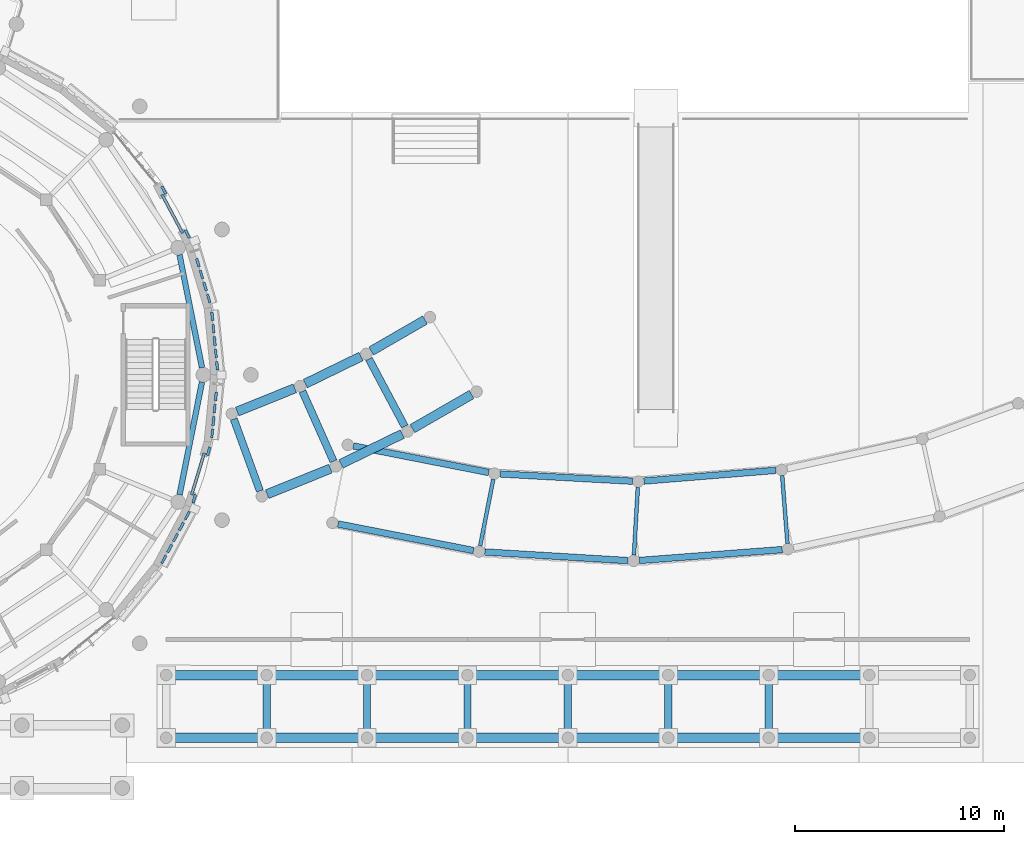
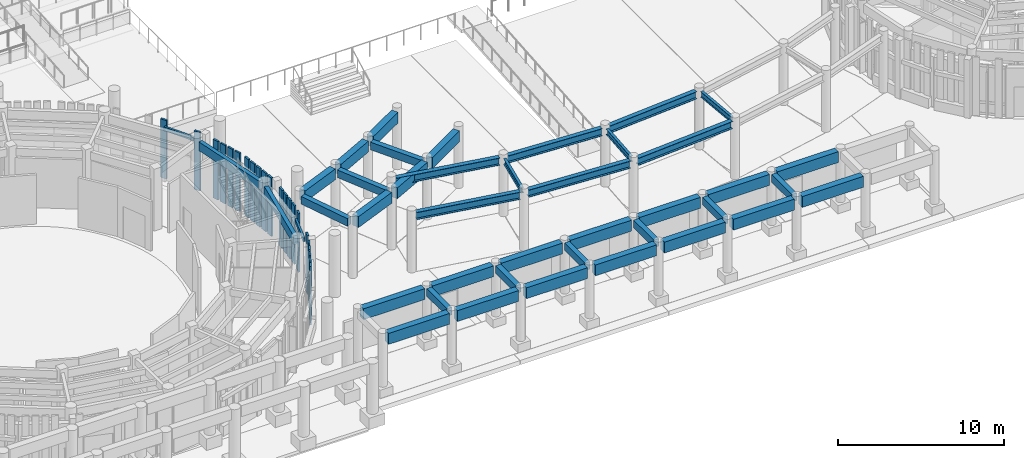
# One storey, part 17 of 94: 42 beams, 22 members.
"""IFC4 building model written with IfcOpenShell, lengths in metres."""

import ifcopenshell
import ifcopenshell.guid

model = None  # the IFC model being written
_history = None  # IfcOwnerHistory: only IFC2X3 demands one
_inside = {}  # id of a spatial element -> (the spatial element, [elements in it])
_under = {}  # id of a project, library or spatial element -> (it, [spatial elements below it])
_declared = {}  # id of a project -> (the project, [libraries it declares])
_typed = {}  # id of a type object -> (the type object, [elements of that type])
_made_of = {}  # id of a material, layer set ... -> (it, [elements and type objects made of it])


def new_model(schema):
    """Start an empty IFC model of exactly this schema.

    Asked for "IFC4X3", IfcOpenShell would pick the latest addendum, in which some entities
    have other attributes; the version numbers below select the first issue.
    IFC2X3 requires an IfcOwnerHistory on every rooted entity: one is made here for all.
    """
    global model, _history
    if schema == "IFC4X3":
        model = ifcopenshell.file(schema_version=(4, 3, 0, 0))
    else:
        model = ifcopenshell.file(schema=schema)
    _inside.clear()
    _under.clear()
    _declared.clear()
    _typed.clear()
    _made_of.clear()
    _history = None
    if model.schema == "IFC2X3":
        org = make("IfcOrganization", Name="unknown")
        user = make(
            "IfcPersonAndOrganization",
            ThePerson=make("IfcPerson", FamilyName="unknown"),
            TheOrganization=org,
        )
        app = make(
            "IfcApplication",
            ApplicationDeveloper=org,
            Version="unknown",
            ApplicationFullName="unknown",
            ApplicationIdentifier="unknown",
        )
        _history = make(
            "IfcOwnerHistory",
            OwningUser=user,
            OwningApplication=app,
            ChangeAction="ADDED",
            CreationDate=0,
        )
    return model


def make(cls, **values):
    """One entity of the class cls with the attributes given. An attribute that is None is left unset."""
    return model.create_entity(
        cls, **{name: value for name, value in values.items() if value is not None}
    )


def rooted(cls, **values):
    """An entity with a GlobalId (a new one), such as an element, a storey or a relation."""
    return make(cls, GlobalId=ifcopenshell.guid.new(), OwnerHistory=_history, **values)


def si_unit(unit_type, name, prefix=None):
    """IfcSIUnit, for example si_unit("LENGTHUNIT", "METRE", prefix="MILLI")."""
    return make("IfcSIUnit", UnitType=unit_type, Prefix=prefix, Name=name)


def assignment(units):
    """IfcUnitAssignment: the units of a project."""
    return None if units is None else make("IfcUnitAssignment", Units=units)


def point(xyz):
    """IfcCartesianPoint."""
    return None if xyz is None else make("IfcCartesianPoint", Coordinates=xyz)


def direction(xyz):
    """IfcDirection."""
    return None if xyz is None else make("IfcDirection", DirectionRatios=xyz)


def frame(location, z_axis=None, x_axis=None):
    """IfcAxis2Placement3D, a coordinate frame: its origin and axes. An axis left out is left unset."""
    return make(
        "IfcAxis2Placement3D",
        Location=point(location),
        Axis=direction(z_axis),
        RefDirection=direction(x_axis),
    )


def frame_2d(location, x_axis=None):
    """IfcAxis2Placement2D, a coordinate frame in the plane: its origin and x axis."""
    return make(
        "IfcAxis2Placement2D", Location=point(location), RefDirection=direction(x_axis)
    )


def origin():
    """The frame at (0, 0, 0) with its axes left unset."""
    return frame((0.0, 0.0, 0.0))


def origin_2d():
    """The frame at (0, 0) in the plane with its x axis left unset."""
    return frame_2d((0.0, 0.0))


def place(relative_to, where):
    """IfcLocalPlacement: puts the frame where relative to a parent placement (None: the world)."""
    return make(
        "IfcLocalPlacement", PlacementRelTo=relative_to, RelativePlacement=where
    )


def context(
    kind, dimensions, precision=None, world=None, true_north=None, identifier=None
):
    """IfcGeometricRepresentationContext, for example the 3D "Model" context."""
    return make(
        "IfcGeometricRepresentationContext",
        ContextIdentifier=identifier,
        ContextType=kind,
        CoordinateSpaceDimension=dimensions,
        Precision=precision,
        WorldCoordinateSystem=world,
        TrueNorth=true_north,
    )


def subcontext(parent, identifier, kind, view, scale=None):
    """IfcGeometricRepresentationSubContext, for example "Body" below "Model"."""
    return make(
        "IfcGeometricRepresentationSubContext",
        ContextIdentifier=identifier,
        ContextType=kind,
        ParentContext=parent,
        TargetScale=scale,
        TargetView=view,
    )


def project(units=None, contexts=None):
    """IfcProject with its units and contexts."""
    return rooted(
        "IfcProject",
        Name="project",
        RepresentationContexts=contexts,
        UnitsInContext=assignment(units),
    )


def spatial(cls, under=None, at=None, **own):
    """A site, building, storey or space (cls), placed at a placement, below another one or the project."""
    s = rooted(cls, ObjectPlacement=at, **own)
    if under is not None:
        _under.setdefault(under.id(), (under, []))[1].append(s)
    return s


def profile(cls, at=None, kind="AREA", **sizes):
    """A parametric profile (cls). Its sizes go by their IFC names, for example OverallWidth=200.0."""
    return make(cls, ProfileType=kind, Position=at, **sizes)


def rectangle(**sizes):
    """IfcRectangleProfileDef."""
    return profile("IfcRectangleProfileDef", **sizes)


def i_section(**sizes):
    """IfcIShapeProfileDef."""
    return profile("IfcIShapeProfileDef", **sizes)


def extrude(swept, where, along, depth):
    """IfcExtrudedAreaSolid: the profile swept, set in the frame where, extruded along a direction by depth."""
    return make(
        "IfcExtrudedAreaSolid",
        SweptArea=swept,
        Position=where,
        ExtrudedDirection=direction(along),
        Depth=depth,
    )


def shape(context_of_items, identifier, shape_type, items):
    """IfcShapeRepresentation: the items that make up one representation, for example the "Body"."""
    return make(
        "IfcShapeRepresentation",
        ContextOfItems=context_of_items,
        RepresentationIdentifier=identifier,
        RepresentationType=shape_type,
        Items=items,
    )


def material(Name=None, Category=None):
    """IfcMaterial."""
    return make("IfcMaterial", Name=Name, Category=Category)


def material_profile(
    of_material, cross_section, Name=None, Category=None, Priority=None
):
    """IfcMaterialProfile: a cross section and its material."""
    return make(
        "IfcMaterialProfile",
        Name=Name,
        Material=of_material,
        Profile=cross_section,
        Priority=Priority,
        Category=Category,
    )


def profile_set(profiles, Name=None, composite=None):
    """IfcMaterialProfileSet."""
    return make(
        "IfcMaterialProfileSet",
        Name=Name,
        MaterialProfiles=profiles,
        CompositeProfile=composite,
    )


def made_of(thing, what):
    """Note that an element or type object is made of a material, layer set ...; save() writes the relation."""
    if what is not None:
        _made_of.setdefault(what.id(), (what, []))[1].append(thing)
    return thing


def type_object(cls, material=None, **own):
    """A type object (cls), such as IfcWallType, which elements share."""
    return made_of(rooted(cls, **own), material)


def element(
    cls,
    number,
    at=None,
    inside=None,
    cuts=None,
    type_object=None,
    material=None,
    context=None,
    identifier="Body",
    shape_type=None,
    held_by="IfcProductDefinitionShape",
    body=None,
    shapes=None,
    **own,
):
    """One element of the class cls, such as IfcWall. Its Tag is "e" and its number.

    at: its placement. inside: the storey or other place that contains it. cuts: it is an
    opening in that element (IfcRelVoidsElement). A single representation is given by context,
    identifier, shape_type and body (its items); several are given by shapes. held_by: the class
    of the entity that holds the representations. save() writes the other relations.
    """
    e = rooted(cls, Tag="e%d" % number, ObjectPlacement=at, **own)
    if body is not None:
        shapes = [shape(context, identifier, shape_type, body)]
    if shapes is not None:
        e.Representation = make(held_by, Representations=shapes)
    if inside is not None:
        _inside.setdefault(inside.id(), (inside, []))[1].append(e)
    if cuts is not None:
        rooted(
            "IfcRelVoidsElement", RelatingBuildingElement=cuts, RelatedOpeningElement=e
        )
    if type_object is not None:
        _typed.setdefault(type_object.id(), (type_object, []))[1].append(e)
    return made_of(e, material)


def aggregate(whole, parts):
    """IfcRelAggregates: a whole, such as a stair, and the parts it consists of."""
    return rooted("IfcRelAggregates", RelatingObject=whole, RelatedObjects=parts)


def save(model, path):
    """Write the relations noted so far, then the file.

    IfcRelAggregates (storeys below a building ...), IfcRelContainedInSpatialStructure (elements
    in a storey), IfcRelDefinesByType, IfcRelAssociatesMaterial and IfcRelDeclares: one each for
    every whole, place, type object, material and project.
    """
    for whole, parts in _under.values():
        aggregate(whole, parts)
    for where, things in _inside.values():
        rooted(
            "IfcRelContainedInSpatialStructure",
            RelatedElements=things,
            RelatingStructure=where,
        )
    for kind, things in _typed.values():
        rooted("IfcRelDefinesByType", RelatedObjects=things, RelatingType=kind)
    for what, things in _made_of.values():
        rooted("IfcRelAssociatesMaterial", RelatedObjects=things, RelatingMaterial=what)
    for by, libraries in _declared.values():
        rooted("IfcRelDeclares", RelatingContext=by, RelatedDefinitions=libraries)
    model.write(path)


model = new_model("IFC4")

# Units and contexts
model_context = context("Model", 3, precision=1e-05, world=origin(), true_north=direction((0.0, 1.0)))
body_context = subcontext(model_context, "Body", "Model", "MODEL_VIEW")
ifc_project = project(units=[si_unit("LENGTHUNIT", "METRE"), si_unit("AREAUNIT", "SQUARE_METRE"), si_unit("VOLUMEUNIT", "CUBIC_METRE"), si_unit("PLANEANGLEUNIT", "RADIAN"), si_unit("MASSUNIT", "GRAM", prefix="KILO")], contexts=[model_context])

# Site, building, storey
site_placement = place(None, origin())
site = spatial("IfcSite", under=ifc_project, at=site_placement, CompositionType="ELEMENT")
building_placement = place(site_placement, origin())
building = spatial("IfcBuilding", under=site, at=building_placement, Name="Aldenvaro Health Centre", CompositionType="ELEMENT")
storey_placement = place(building_placement, origin())
storey = spatial("IfcBuildingStorey", under=building, at=storey_placement, Name="L00", CompositionType="ELEMENT", Elevation=0.0)

# Beams
ifc_material_1 = material(Name="Glulam GL28h", Category="wood")
ifc_material_profile_1 = material_profile(ifc_material_1, rectangle(XDim=0.139892578125, YDim=0.280029296875, at=origin_2d()), Name="GL 140x280", Category="wood")
ifc_profile_set_1 = profile_set([ifc_material_profile_1], Name="Glulam GL28h")
beam_type_1 = type_object("IfcBeamType", Name="BM-GL-280", PredefinedType="LINTEL", material=ifc_profile_set_1)
beam_1_placement = place(storey_placement, frame((102.923095703125, 16.26708984375, 3.799072265625), z_axis=(-0.290023526371, -0.957019516077, 0.0), x_axis=(0.957019516077, -0.290023526371, 0.0)))
element("IfcBeam", 1, at=beam_1_placement, inside=storey, type_object=beam_type_1, Name="Portal Lintel Beam 01", PredefinedType="LINTEL", context=body_context, shape_type="SweptSolid", body=[
    extrude(rectangle(XDim=0.139892578125, YDim=0.280029296875, at=origin_2d()), origin(), (0.0, 0.0, 1.0), 2.100341796875),
])
beam_2_placement = place(storey_placement, frame((100.89892578125, 28.6201171875, 3.799072265625), z_axis=(0.471414687454, -0.881911669303, 0.0), x_axis=(0.881911669303, 0.471414687454, 0.0)))
element("IfcBeam", 2, at=beam_2_placement, inside=storey, type_object=beam_type_1, Name="Portal Lintel Beam 07", PredefinedType="LINTEL", context=body_context, shape_type="SweptSolid", body=[
    extrude(rectangle(XDim=0.139892578125, YDim=0.280029296875, at=origin_2d()), origin(), (0.0, 0.0, 1.0), 2.10009765625),
])
ifc_material_profile_2 = material_profile(ifc_material_1, rectangle(XDim=0.264892578125, YDim=0.64599609375, at=origin_2d()), Name="GL 265x646", Category="wood")
ifc_profile_set_2 = profile_set([ifc_material_profile_2], Name="Glulam GL28h")
beam_type_2 = type_object("IfcBeamType", Name="BM-GL-646", PredefinedType="SPANDREL", material=ifc_profile_set_2)
for number, where, z_axis, x_axis, name in (
    (3, (102.81201171875, 20.343017578125, 3.98193359375), (-0.19521063771, 0.980761340452, 0.0), (-0.980761340452, -0.19521063771, 0.0), "D1 L00 perimeter spandrel 01"),
    (4, (101.739013671875, 14.26611328125, 3.98193359375), (0.19521063771, 0.980761340452, 0.0), (-0.980761340452, 0.19521063771, 0.0), "D1 L00 perimeter spandrel 16"),
):
    element("IfcBeam", number, at=place(storey_placement, frame(where, z_axis=z_axis, x_axis=x_axis)), inside=storey, type_object=beam_type_2, Name=name, PredefinedType="SPANDREL", context=body_context, shape_type="SweptSolid", body=[
        extrude(rectangle(XDim=0.264892578125, YDim=0.64599609375, at=origin_2d()), origin(), (0.0, 0.0, 1.0), 5.49658203125),
    ])
ifc_material_2 = material(Name="Concrete f'c 40 MPa", Category="concrete")
ifc_material_profile_3 = material_profile(ifc_material_2, rectangle(XDim=0.35009765625, YDim=0.56005859375, at=origin_2d()), Name="RC 350x560", Category="concrete")
ifc_profile_set_3 = profile_set([ifc_material_profile_3], Name="Concrete f'c 40 MPa")
beam_type_3 = type_object("IfcBeamType", Name="BM-RC-560E", PredefinedType="JOIST", material=ifc_profile_set_3)
for number, where, z_axis, x_axis, name in (
    (5, (104.33203125, 17.881103515625, 3.89990234375), (0.341914907275, -0.939730916903, 0.0), (0.939730916903, 0.341914907275, 0.0), "Colonnade Transverse Beam 05"),
    (6, (107.612060546875, 19.2060546875, 3.89990234375), (0.406523187551, -0.913640464288, 0.0), (0.913640464288, 0.406523187551, 0.0), "Colonnade Transverse Beam 06"),
):
    element("IfcBeam", number, at=place(storey_placement, frame(where, z_axis=z_axis, x_axis=x_axis)), inside=storey, type_object=beam_type_3, Name=name, PredefinedType="JOIST", context=body_context, shape_type="SweptSolid", body=[
        extrude(rectangle(XDim=0.35009765625, YDim=0.56005859375, at=origin_2d()), origin(), (0.0, 0.0, 1.0), 3.650146484375),
    ])
beam_3_placement = place(storey_placement, frame((110.7900390625, 20.756103515625, 3.89990234375), z_axis=(0.469601878876, -0.882878290228, 0.0), x_axis=(0.882878290228, 0.469601878876, 0.0)))
element("IfcBeam", 7, at=beam_3_placement, inside=storey, type_object=beam_type_3, Name="Colonnade Transverse Beam 07", PredefinedType="JOIST", context=body_context, shape_type="SweptSolid", body=[
    extrude(rectangle(XDim=0.35009765625, YDim=0.56005859375, at=origin_2d()), origin(), (0.0, 0.0, 1.0), 3.649658203125),
])
for number, where, z_axis, x_axis, name in (
    (8, (105.89990234375, 2.925048828125, 4.1201171875), (0.0, 1.0, 0.0), (-1.0, 0.0, 0.0), "South Stoa E Transverse Beam L00-2"),
    (9, (110.699951171875, 2.925048828125, 4.1201171875), (0.0, 1.0, 0.0), (-1.0, 0.0, 0.0), "South Stoa E Transverse Beam L00-3"),
    (10, (115.5, 2.925048828125, 4.1201171875), (0.0, 1.0, 0.0), (-1.0, 0.0, 0.0), "South Stoa E Transverse Beam L00-4"),
    (11, (120.300048828125, 2.925048828125, 4.1201171875), (0.0, 1.0, 0.0), (-1.0, 0.0, 0.0), "South Stoa E Transverse Beam L00-5"),
    (12, (125.10009765625, 2.925048828125, 4.1201171875), (0.0, 1.0, 0.0), (-1.0, 0.0, 0.0), "South Stoa E Transverse Beam L00-6"),
    (13, (129.89990234375, 2.925048828125, 4.1201171875), (0.0, 1.0, 0.0), (-1.0, 0.0, 0.0), "South Stoa E Transverse Beam L00-7"),
):
    element("IfcBeam", number, at=place(storey_placement, frame(where, z_axis=z_axis, x_axis=x_axis)), inside=storey, type_object=beam_type_3, Name=name, PredefinedType="JOIST", context=body_context, shape_type="SweptSolid", body=[
        extrude(rectangle(XDim=0.35009765625, YDim=0.56005859375, at=origin_2d()), origin(), (0.0, 0.0, 1.0), 2.449951171875),
    ])
ifc_material_profile_4 = material_profile(ifc_material_2, rectangle(XDim=0.449951171875, YDim=0.800048828125, at=origin_2d()), Name="RC 450x800", Category="concrete")
ifc_profile_set_4 = profile_set([ifc_material_profile_4], Name="Concrete f'c 40 MPa")
beam_type_4 = type_object("IfcBeamType", Name="BM-RC-800", PredefinedType="SPANDREL", material=ifc_profile_set_4)
beam_4_placement = place(storey_placement, frame((104.492919921875, 18.241943359375, 3.89990234375), z_axis=(0.927172074398, 0.374635749036, 0.0), x_axis=(-0.374635749036, 0.927172074398, 0.0)))
element("IfcBeam", 14, at=beam_4_placement, inside=storey, type_object=beam_type_4, Name="Colonnade Architrave Beam IN 05", PredefinedType="SPANDREL", context=body_context, shape_type="SweptSolid", body=[
    extrude(rectangle(XDim=0.449951171875, YDim=0.800048828125, at=origin_2d()), origin(), (0.0, 0.0, 1.0), 2.96826171875),
])
beam_5_placement = place(storey_placement, frame((105.928955078125, 14.2958984375, 3.89990234375), z_axis=(0.927242836854, 0.374460574031, 0.0), x_axis=(-0.374460574031, 0.927242836854, 0.0)))
element("IfcBeam", 15, at=beam_5_placement, inside=storey, type_object=beam_type_4, Name="Colonnade Architrave Beam OUT 05", PredefinedType="SPANDREL", context=body_context, shape_type="SweptSolid", body=[
    extrude(rectangle(XDim=0.449951171875, YDim=0.800048828125, at=origin_2d()), origin(), (0.0, 0.0, 1.0), 3.26123046875),
])
beam_6_placement = place(storey_placement, frame((107.7470703125, 19.577880859375, 3.89990234375), z_axis=(0.898890989198, 0.438172328586, 0.0), x_axis=(-0.438172328586, 0.898890989198, 0.0)))
element("IfcBeam", 16, at=beam_6_placement, inside=storey, type_object=beam_type_4, Name="Colonnade Architrave Beam IN 06", PredefinedType="SPANDREL", context=body_context, shape_type="SweptSolid", body=[
    extrude(rectangle(XDim=0.449951171875, YDim=0.800048828125, at=origin_2d()), origin(), (0.0, 0.0, 1.0), 2.967041015625),
])
beam_7_placement = place(storey_placement, frame((109.455078125, 15.740966796875, 3.89990234375), z_axis=(0.898859814594, 0.43823627612, 0.0), x_axis=(-0.43823627612, 0.898859814594, 0.0)))
element("IfcBeam", 17, at=beam_7_placement, inside=storey, type_object=beam_type_4, Name="Colonnade Architrave Beam OUT 06", PredefinedType="SPANDREL", context=body_context, shape_type="SweptSolid", body=[
    extrude(rectangle(XDim=0.449951171875, YDim=0.800048828125, at=origin_2d()), origin(), (0.0, 0.0, 1.0), 3.2607421875),
])
beam_8_placement = place(storey_placement, frame((110.89892578125, 21.135986328125, 3.89990234375), z_axis=(0.86592126514, 0.500180330059, 0.0), x_axis=(-0.500180330059, 0.86592126514, 0.0)))
element("IfcBeam", 18, at=beam_8_placement, inside=storey, type_object=beam_type_4, Name="Colonnade Architrave Beam IN 07", PredefinedType="SPANDREL", context=body_context, shape_type="SweptSolid", body=[
    extrude(rectangle(XDim=0.449951171875, YDim=0.800048828125, at=origin_2d()), origin(), (0.0, 0.0, 1.0), 2.96923828125),
])
beam_9_placement = place(storey_placement, frame((112.87109375, 17.428955078125, 3.89990234375), z_axis=(0.866139473422, 0.499802373524, 0.0), x_axis=(-0.499802373524, 0.866139473422, 0.0)))
element("IfcBeam", 19, at=beam_9_placement, inside=storey, type_object=beam_type_4, Name="Colonnade Architrave Beam OUT 07", PredefinedType="SPANDREL", context=body_context, shape_type="SweptSolid", body=[
    extrude(rectangle(XDim=0.449951171875, YDim=0.800048828125, at=origin_2d()), origin(), (0.0, 0.0, 1.0), 3.261474609375),
])
for number, where, z_axis, x_axis, name in (
    (20, (101.375, 2.64990234375, 4.0), (1.0, 0.0, 0.0), (0.0, 1.0, 0.0), "South Stoa E Classical Architrave L00-1.1"),
    (21, (101.375, 5.64990234375, 4.0), (1.0, 0.0, 0.0), (0.0, 1.0, 0.0), "South Stoa E Classical Architrave L00-1.2"),
    (22, (106.175048828125, 2.64990234375, 4.0), (1.0, 0.0, 0.0), (0.0, 1.0, 0.0), "South Stoa E Classical Architrave L00-2.1"),
    (23, (106.175048828125, 5.64990234375, 4.0), (1.0, 0.0, 0.0), (0.0, 1.0, 0.0), "South Stoa E Classical Architrave L00-2.2"),
    (24, (110.97509765625, 2.64990234375, 4.0), (1.0, 0.0, 0.0), (0.0, 1.0, 0.0), "South Stoa E Classical Architrave L00-3.1"),
    (25, (110.97509765625, 5.64990234375, 4.0), (1.0, 0.0, 0.0), (0.0, 1.0, 0.0), "South Stoa E Classical Architrave L00-3.2"),
    (26, (115.77490234375, 2.64990234375, 4.0), (1.0, 0.0, 0.0), (0.0, 1.0, 0.0), "South Stoa E Classical Architrave L00-4.1"),
    (27, (115.77490234375, 5.64990234375, 4.0), (1.0, 0.0, 0.0), (0.0, 1.0, 0.0), "South Stoa E Classical Architrave L00-4.2"),
    (28, (120.574951171875, 2.64990234375, 4.0), (1.0, 0.0, 0.0), (0.0, 1.0, 0.0), "South Stoa E Classical Architrave L00-5.1"),
    (29, (120.574951171875, 5.64990234375, 4.0), (1.0, 0.0, 0.0), (0.0, 1.0, 0.0), "South Stoa E Classical Architrave L00-5.2"),
    (30, (125.375, 2.64990234375, 4.0), (1.0, 0.0, 0.0), (0.0, 1.0, 0.0), "South Stoa E Classical Architrave L00-6.1"),
    (31, (125.375, 5.64990234375, 4.0), (1.0, 0.0, 0.0), (0.0, 1.0, 0.0), "South Stoa E Classical Architrave L00-6.2"),
    (32, (130.175048828125, 2.64990234375, 4.0), (1.0, 0.0, 0.0), (0.0, 1.0, 0.0), "South Stoa E Classical Architrave L00-7.1"),
    (33, (130.175048828125, 5.64990234375, 4.0), (1.0, 0.0, 0.0), (0.0, 1.0, 0.0), "South Stoa E Classical Architrave L00-7.2"),
):
    element("IfcBeam", number, at=place(storey_placement, frame(where, z_axis=z_axis, x_axis=x_axis)), inside=storey, type_object=beam_type_4, Name=name, PredefinedType="SPANDREL", context=body_context, shape_type="SweptSolid", body=[
        extrude(rectangle(XDim=0.449951171875, YDim=0.800048828125, at=origin_2d()), origin(), (0.0, 0.0, 1.0), 4.25),
    ])
ifc_material_3 = material(Name="Steel ASTM A992 Grade 50", Category="steel")
ifc_material_profile_5 = material_profile(ifc_material_3, i_section(OverallWidth=0.180908203125, OverallDepth=0.4169921875, WebThickness=0.010986328125, FlangeThickness=0.018310546875, at=origin_2d()), Name="W16X57", Category="steel")
ifc_profile_set_5 = profile_set([ifc_material_profile_5], Name="Steel ASTM A992 Grade 50")
beam_type_5 = type_object("IfcBeamType", Name="BM-ST-W16E", PredefinedType="JOIST", material=ifc_profile_set_5)
beam_10_placement = place(storey_placement, frame((116.73291015625, 15.008056640625, 4.091064453125), z_axis=(-0.192675532925, -0.981262522984, 0.0), x_axis=(0.981262522984, -0.192675532925, 0.0)))
element("IfcBeam", 34, at=beam_10_placement, inside=storey, type_object=beam_type_5, Name="South East Curved Peristyle Walkway Arc 1 L00 cross beam 2", PredefinedType="JOIST", context=body_context, shape_type="SweptSolid", body=[
    extrude(i_section(OverallWidth=0.180908203125, OverallDepth=0.4169921875, WebThickness=0.010986328125, FlangeThickness=0.018310546875, at=origin_2d()), origin(), (0.0, 0.0, 1.0), 3.248779296875),
])
beam_11_placement = place(storey_placement, frame((123.64306640625, 14.625, 4.091064453125), z_axis=(-0.057255211564, -0.998359574877, 0.0), x_axis=(0.998359574877, -0.057255211564, 0.0)))
element("IfcBeam", 35, at=beam_11_placement, inside=storey, type_object=beam_type_5, Name="South East Curved Peristyle Walkway Arc 2 L00 cross beam 2", PredefinedType="JOIST", context=body_context, shape_type="SweptSolid", body=[
    extrude(i_section(OverallWidth=0.180908203125, OverallDepth=0.4169921875, WebThickness=0.010986328125, FlangeThickness=0.018310546875, at=origin_2d()), origin(), (0.0, 0.0, 1.0), 3.249267578125),
])
beam_12_placement = place(storey_placement, frame((130.5419921875, 15.18310546875, 4.091064453125), z_axis=(0.078126830306, -0.996943427877, 0.0), x_axis=(0.996943427877, 0.078126830306, 0.0)))
element("IfcBeam", 36, at=beam_12_placement, inside=storey, type_object=beam_type_5, Name="South East Curved Peristyle Walkway Arc 3 L00 cross beam 2", PredefinedType="JOIST", context=body_context, shape_type="SweptSolid", body=[
    extrude(i_section(OverallWidth=0.180908203125, OverallDepth=0.4169921875, WebThickness=0.010986328125, FlangeThickness=0.018310546875, at=origin_2d()), origin(), (0.0, 0.0, 1.0), 3.25),
])
ifc_material_profile_6 = material_profile(ifc_material_3, i_section(OverallWidth=0.31201171875, OverallDepth=0.54296875, WebThickness=0.0126953125, FlangeThickness=0.020263671875, at=origin_2d()), Name="W21X101", Category="steel")
ifc_profile_set_6 = profile_set([ifc_material_profile_6], Name="Steel ASTM A992 Grade 50")
beam_type_6 = type_object("IfcBeamType", Name="BM-ST-W21E", PredefinedType="BEAM", material=ifc_profile_set_6)
for number, where, z_axis, x_axis, name in (
    (37, (110.048095703125, 16.60009765625, 4.029052734375), (0.9812907043, -0.192531954892, 0.0), (0.192531954892, 0.9812907043, 0.0), "South East Curved Peristyle Walkway Arc 1 L00 girder L-1"),
    (38, (109.31591796875, 12.8720703125, 4.029052734375), (0.9812907043, -0.192531954892, 0.0), (0.192531954892, 0.9812907043, 0.0), "South East Curved Peristyle Walkway Arc 1 L00 girder R-1"),
):
    element("IfcBeam", number, at=place(storey_placement, frame(where, z_axis=z_axis, x_axis=x_axis)), inside=storey, type_object=beam_type_6, Name=name, PredefinedType="BEAM", context=body_context, shape_type="SweptSolid", body=[
        extrude(i_section(OverallWidth=0.31201171875, OverallDepth=0.54296875, WebThickness=0.0126953125, FlangeThickness=0.020263671875, at=origin_2d()), origin(), (0.0, 0.0, 1.0), 6.59130859375),
    ])
beam_13_placement = place(storey_placement, frame((117.06103515625, 15.262939453125, 4.029052734375), z_axis=(0.998489749341, -0.054938333249, 0.0), x_axis=(0.054938333249, 0.998489749341, 0.0)))
element("IfcBeam", 39, at=beam_13_placement, inside=storey, type_object=beam_type_6, Name="South East Curved Peristyle Walkway Arc 2 L00 girder L-1", PredefinedType="BEAM", context=body_context, shape_type="SweptSolid", body=[
    extrude(i_section(OverallWidth=0.31201171875, OverallDepth=0.54296875, WebThickness=0.0126953125, FlangeThickness=0.020263671875, at=origin_2d()), origin(), (0.0, 0.0, 1.0), 6.33251953125),
])
beam_14_placement = place(storey_placement, frame((116.3291015625, 11.533935546875, 4.029052734375), z_axis=(0.998190411016, -0.060132381923, 0.0), x_axis=(0.060132381923, 0.998190411016, 0.0)))
element("IfcBeam", 40, at=beam_14_placement, inside=storey, type_object=beam_type_6, Name="South East Curved Peristyle Walkway Arc 2 L00 girder R-1", PredefinedType="BEAM", context=body_context, shape_type="SweptSolid", body=[
    extrude(i_section(OverallWidth=0.31201171875, OverallDepth=0.54296875, WebThickness=0.0126953125, FlangeThickness=0.020263671875, at=origin_2d()), origin(), (0.0, 0.0, 1.0), 6.849365234375),
])
beam_15_placement = place(storey_placement, frame((123.93310546875, 14.922119140625, 4.029052734375), z_axis=(0.99671535542, 0.080984568093, 0.0), x_axis=(-0.080984568093, 0.99671535542, 0.0)))
element("IfcBeam", 41, at=beam_15_placement, inside=storey, type_object=beam_type_6, Name="South East Curved Peristyle Walkway Arc 3 L00 girder L-1", PredefinedType="BEAM", context=body_context, shape_type="SweptSolid", body=[
    extrude(i_section(OverallWidth=0.31201171875, OverallDepth=0.54296875, WebThickness=0.0126953125, FlangeThickness=0.020263671875, at=origin_2d()), origin(), (0.0, 0.0, 1.0), 6.333740234375),
])
beam_16_placement = place(storey_placement, frame((123.715087890625, 11.126953125, 4.029052734375), z_axis=(0.997102309652, 0.076072229409, 0.0), x_axis=(-0.076072229409, 0.997102309652, 0.0)))
element("IfcBeam", 42, at=beam_16_placement, inside=storey, type_object=beam_type_6, Name="South East Curved Peristyle Walkway Arc 3 L00 girder R-1", PredefinedType="BEAM", context=body_context, shape_type="SweptSolid", body=[
    extrude(i_section(OverallWidth=0.31201171875, OverallDepth=0.54296875, WebThickness=0.0126953125, FlangeThickness=0.020263671875, at=origin_2d()), origin(), (0.0, 0.0, 1.0), 6.8486328125),
])

# Members
ifc_material_profile_7 = material_profile(ifc_material_1, rectangle(XDim=0.114990234375, YDim=0.419921875, at=origin_2d()), Name="GL 115x420", Category="wood")
ifc_profile_set_7 = profile_set([ifc_material_profile_7], Name="Glulam GL28h")
member_type_1 = type_object("IfcMemberType", Name="MEM-SLT-420A", PredefinedType="POST", material=ifc_profile_set_7)
for number, where, z_axis, x_axis, name in (
    (43, (103.4169921875, 18.383056640625, 0.0), (0.0, 0.0, 1.0), (0.995186971968, -0.097994340783, 0.0), "D1 L00 vertical timber slat 1.3"),
    (44, (103.300048828125, 17.201904296875, 0.0), (0.0, 0.0, 1.0), (0.995186971968, -0.097994340783, 0.0), "D1 L00 vertical timber slat 1.5"),
    (45, (102.10791015625, 13.27099609375, 0.0), (0.0, 0.0, 1.0), (0.88183578132, -0.471556629455, 0.0), "D1 L00 vertical timber slat 3.1"),
    (46, (101.548095703125, 12.22412109375, 0.0), (0.0, 0.0, 1.0), (0.88183578132, -0.471556629455, 0.0), "D1 L00 vertical timber slat 3.3"),
    (47, (100.988037109375, 11.177001953125, 0.0), (0.0, 0.0, 1.0), (0.88183578132, -0.471556629455, 0.0), "D1 L00 vertical timber slat 3.5"),
    (48, (102.785888671875, 24.7880859375, 0.0), (0.0, 0.0, 1.0), (0.95697469172, 0.290171396605, 0.0), "D1 L00 vertical timber slat 31.3"),
    (49, (103.131103515625, 23.652099609375, 0.0), (0.0, 0.0, 1.0), (0.95697469172, 0.290171396605, 0.0), "D1 L00 vertical timber slat 31.5"),
    (50, (103.35791015625, 22.20703125, 0.0), (0.0, 0.0, 1.0), (0.995186971968, 0.097994340783, 0.0), "D1 L00 vertical timber slat 32.2"),
    (51, (103.47509765625, 21.02587890625, 0.0), (0.0, 0.0, 1.0), (0.995186971968, 0.097994340783, 0.0), "D1 L00 vertical timber slat 32.4"),
):
    element("IfcMember", number, at=place(storey_placement, frame(where, z_axis=z_axis, x_axis=x_axis)), inside=storey, type_object=member_type_1, Name=name, PredefinedType="POST", context=body_context, shape_type="SweptSolid", body=[
        extrude(rectangle(XDim=0.114990234375, YDim=0.419921875, at=origin_2d()), origin(), (0.0, 0.0, 1.0), 4.304931640625),
    ])
ifc_material_profile_8 = material_profile(ifc_material_1, rectangle(XDim=0.1298828125, YDim=0.419921875, at=origin_2d()), Name="GL 130x420", Category="wood")
ifc_profile_set_8 = profile_set([ifc_material_profile_8], Name="Glulam GL28h")
member_type_2 = type_object("IfcMemberType", Name="MEM-SLT-420B", PredefinedType="POST", material=ifc_profile_set_8)
for number, where, z_axis, x_axis, name in (
    (52, (103.47509765625, 18.97412109375, 0.0), (0.0, 0.0, 1.0), (0.995186971968, -0.097994340783, 0.0), "D1 L00 vertical timber slat 1.2"),
    (53, (103.35791015625, 17.79296875, 0.0), (0.0, 0.0, 1.0), (0.995186971968, -0.097994340783, 0.0), "D1 L00 vertical timber slat 1.4"),
    (54, (103.131103515625, 16.347900390625, 0.0), (0.0, 0.0, 1.0), (0.95697469172, -0.290171396605, 0.0), "D1 L00 vertical timber slat 2.1"),
    (55, (102.44091796875, 14.074951171875, 0.0), (0.0, 0.0, 1.0), (0.95697469172, -0.290171396605, 0.0), "D1 L00 vertical timber slat 2.5"),
    (56, (101.827880859375, 12.748046875, 0.0), (0.0, 0.0, 1.0), (0.88183578132, -0.471556629455, 0.0), "D1 L00 vertical timber slat 3.2"),
    (57, (101.26806640625, 11.699951171875, 0.0), (0.0, 0.0, 1.0), (0.88183578132, -0.471556629455, 0.0), "D1 L00 vertical timber slat 3.4"),
    (58, (100.988037109375, 28.822998046875, 0.0), (0.0, 0.0, 1.0), (0.88183578132, 0.471556629455, 0.0), "D1 L00 vertical timber slat 30.1"),
    (59, (102.10791015625, 26.72900390625, 0.0), (0.0, 0.0, 1.0), (0.88183578132, 0.471556629455, 0.0), "D1 L00 vertical timber slat 30.5"),
    (60, (102.614013671875, 25.35693359375, 0.0), (0.0, 0.0, 1.0), (0.95697469172, 0.290171396605, 0.0), "D1 L00 vertical timber slat 31.2"),
    (61, (102.9580078125, 24.219970703125, 0.0), (0.0, 0.0, 1.0), (0.95697469172, 0.290171396605, 0.0), "D1 L00 vertical timber slat 31.4"),
    (62, (103.300048828125, 22.798095703125, 0.0), (0.0, 0.0, 1.0), (0.995186971968, 0.097994340783, 0.0), "D1 L00 vertical timber slat 32.1"),
    (63, (103.4169921875, 21.616943359375, 0.0), (0.0, 0.0, 1.0), (0.995186971968, 0.097994340783, 0.0), "D1 L00 vertical timber slat 32.3"),
    (64, (103.532958984375, 20.43505859375, 0.0), (0.0, 0.0, 1.0), (0.995186971968, 0.097994340783, 0.0), "D1 L00 vertical timber slat 32.5"),
):
    element("IfcMember", number, at=place(storey_placement, frame(where, z_axis=z_axis, x_axis=x_axis)), inside=storey, type_object=member_type_2, Name=name, PredefinedType="POST", context=body_context, shape_type="SweptSolid", body=[
        extrude(rectangle(XDim=0.1298828125, YDim=0.419921875, at=origin_2d()), origin(), (0.0, 0.0, 1.0), 4.304931640625),
    ])

save(model, "model.ifc")
